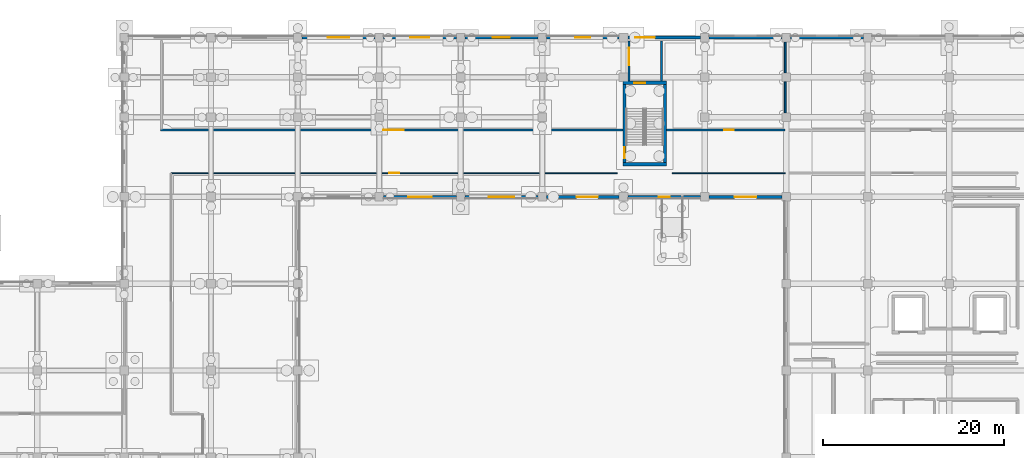
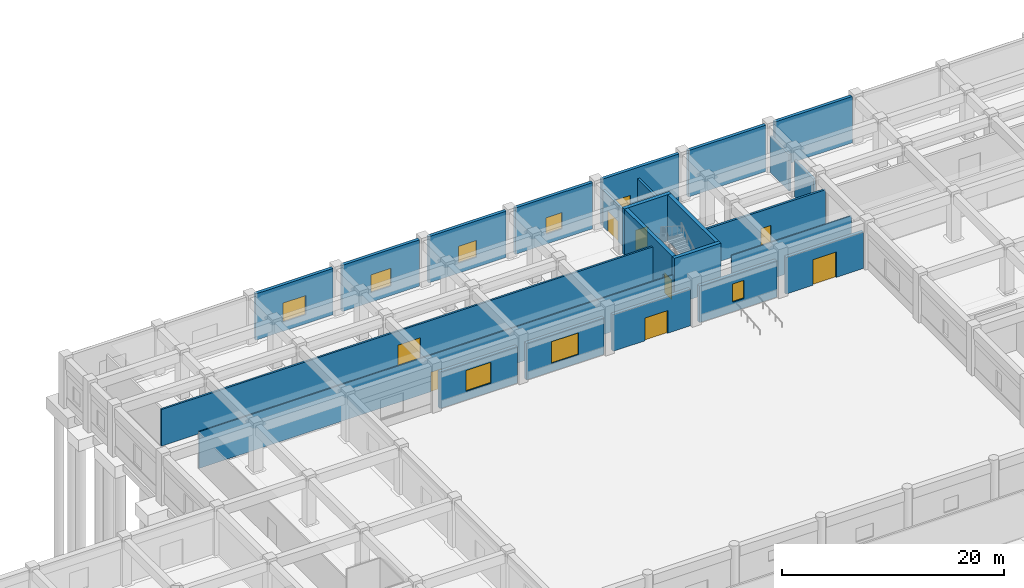
# One storey, part 37 of 74: 24 walls, 9 doors, 7 windows, 16 openings.
"""IFC4 building model written with IfcOpenShell, lengths in metres."""

from ifc_helpers import new_model, si_unit, direction, frame, frame_2d, origin, place, context, subcontext, project, spatial, rectangle, extrude, material, layer, layer_set, type_object, element, fill, save


model = new_model("IFC4")

# Units and contexts
model_context = context("Model", 3, precision=1e-05, world=origin(), true_north=direction((0.0, 1.0)))
body_context = subcontext(model_context, "Body", "Model", "MODEL_VIEW")
ifc_project = project(units=[si_unit("LENGTHUNIT", "METRE"), si_unit("AREAUNIT", "SQUARE_METRE"), si_unit("VOLUMEUNIT", "CUBIC_METRE"), si_unit("PLANEANGLEUNIT", "RADIAN"), si_unit("MASSUNIT", "GRAM", prefix="KILO")], contexts=[model_context])

# Site, building, storey
site_placement = place(None, origin())
site = spatial("IfcSite", under=ifc_project, at=site_placement, CompositionType="ELEMENT")
building_placement = place(site_placement, origin())
building = spatial("IfcBuilding", under=site, at=building_placement, Name="Cendralis Terraced Arcade", CompositionType="ELEMENT")
storey_placement = place(building_placement, origin())
storey = spatial("IfcBuildingStorey", under=building, at=storey_placement, Name="L00", CompositionType="ELEMENT", Elevation=0.0)

# Wall, opening, door
ifc_material_1 = material(Name="Gypsum plasterboard acoustic partition", Category="concrete")
ifc_layer_1 = layer(ifc_material_1, 0.195068359375, Name="WL-ACOU-195")
ifc_layer_set_1 = layer_set([ifc_layer_1], Name="Gypsum plasterboard acoustic partition")
wall_type_1 = type_object("IfcWallType", Name="WL-ACOU-195", PredefinedType="PARTITIONING", material=ifc_layer_set_1)
wall_1_placement = place(storey_placement, frame((103.1201171875, 105.780029296875, 0.0), z_axis=(0.0, 0.0, 1.0), x_axis=(-1.0, 0.0, 0.0)))
wall_1 = element("IfcWall", 1, at=wall_1_placement, inside=storey, type_object=wall_type_1, Name="Interior Partition Wall IW-L00-0272", PredefinedType="PARTITIONING", context=body_context, shape_type="SweptSolid", body=[
    extrude(rectangle(XDim=51.09521484375, YDim=0.195068359375, at=frame_2d((25.547607421875, 0.0))), origin(), (0.0, 0.0, 1.0), 4.030029296875),
])
opening_1_placement = place(wall_1_placement, frame((24.1865234375, 0.0, 0.0)))
opening_1 = element("IfcOpeningElement", 2, at=opening_1_placement, cuts=wall_1, Name="Opening D-L00-079", PredefinedType="OPENING", context=body_context, shape_type="SweptSolid", body=[
    extrude(rectangle(XDim=2.300048828125, YDim=2.5, at=frame_2d((1.14990234375, 1.25))), frame((0.0, 0.109375, 0.0), z_axis=(0.0, -1.0, 0.0), x_axis=(1.0, 0.0, 0.0)), (0.0, 0.0, 1.0), 0.218994140625),
])
ifc_material_2 = material(Name="Solid core Andean oak veneer door leaf", Category="aluminium")
door_type_1 = type_object("IfcDoorType", Name="ID-DEP-2300x2500", OperationType="DOUBLE_DOOR_SINGLE_SWING", PredefinedType="DOOR", material=ifc_material_2)
door_1_placement = place(opening_1_placement, origin())
door_1 = element("IfcDoor", 3, at=door_1_placement, inside=storey, type_object=door_type_1, Name="Bookshop and Stationery Salon - Court Gallery Door D-L00-079", OperationType="DOUBLE_DOOR_SINGLE_SWING", OverallHeight=2.5, OverallWidth=2.300048828125, PredefinedType="DOOR", context=body_context, shape_type="SweptSolid", body=[
    extrude(rectangle(XDim=2.300048828125, YDim=2.5, at=frame_2d((1.14990234375, 1.25))), frame((0.0, 0.02490234375, 0.0), z_axis=(0.0, -1.0, 0.0), x_axis=(1.0, 0.0, 0.0)), (0.0, 0.0, 1.0), 0.050048828125),
])
fill(opening_1, door_1)

# Walls
ifc_layer_2 = layer(ifc_material_1, 0.205078125, Name="WL-ACOU-205")
ifc_layer_set_2 = layer_set([ifc_layer_2], Name="Gypsum plasterboard acoustic partition")
wall_type_2 = type_object("IfcWallType", Name="WL-ACOU-205", PredefinedType="PARTITIONING", material=ifc_layer_set_2)
wall_2_placement = place(storey_placement, frame((121.080078125, 115.5048828125, 0.0), z_axis=(0.0, 0.0, 1.0), x_axis=(0.0, -1.0, 0.0)))
element("IfcWall", 4, at=wall_2_placement, inside=storey, type_object=wall_type_2, Name="Interior Partition Wall IW-L00-0271", PredefinedType="PARTITIONING", context=body_context, shape_type="SweptSolid", body=[
    extrude(rectangle(XDim=3.409912109375, YDim=0.205078125, at=frame_2d((1.705078125, 0.0))), origin(), (0.0, 0.0, 1.0), 4.030029296875),
])
ifc_layer_3 = layer(ifc_material_1, 0.2099609375, Name="WL-ACOU-210")
ifc_layer_set_3 = layer_set([ifc_layer_3], Name="Gypsum plasterboard acoustic partition")
wall_type_3 = type_object("IfcWallType", Name="WL-ACOU-210", PredefinedType="PARTITIONING", material=ifc_layer_set_3)
wall_3_placement = place(storey_placement, frame((121.080078125, 111.10498046875, 0.0), z_axis=(0.0, 0.0, 1.0), x_axis=(0.0, -1.0, 0.0)))
element("IfcWall", 5, at=wall_3_placement, inside=storey, type_object=wall_type_3, Name="Interior Partition Wall IW-L00-0270", PredefinedType="PARTITIONING", context=body_context, shape_type="SweptSolid", body=[
    extrude(rectangle(XDim=3.409912109375, YDim=0.2099609375, at=frame_2d((1.705078125, 0.0))), origin(), (0.0, 0.0, 1.0), 4.030029296875),
])

# Wall, opening, door
ifc_material_3 = material(Name="Autoclaved aerated concrete blockwork", Category="masonry")
ifc_layer_4 = layer(ifc_material_3, 0.221923828125, Name="WL-ACOU-222")
ifc_layer_set_4 = layer_set([ifc_layer_4], Name="Autoclaved aerated concrete blockwork")
wall_type_4 = type_object("IfcWallType", Name="WL-ACOU-222", PredefinedType="PARTITIONING", material=ifc_layer_set_4)
wall_4_placement = place(storey_placement, frame((121.080078125, 105.780029296875, 0.0), z_axis=(0.0, 0.0, 1.0), x_axis=(-1.0, 0.0, 0.0)))
wall_4 = element("IfcWall", 6, at=wall_4_placement, inside=storey, type_object=wall_type_4, Name="Interior Partition Wall IW-L00-0269", PredefinedType="PARTITIONING", context=body_context, shape_type="SweptSolid", body=[
    extrude(rectangle(XDim=13.10009765625, YDim=0.221923828125, at=frame_2d((6.550048828125, 0.0))), origin(), (0.0, 0.0, 1.0), 4.030029296875),
])
opening_2_placement = place(wall_4_placement, frame((5.695068359375, 0.0, 0.0)))
opening_2 = element("IfcOpeningElement", 7, at=opening_2_placement, cuts=wall_4, Name="Opening D-L00-078", PredefinedType="OPENING", context=body_context, shape_type="SweptSolid", body=[
    extrude(rectangle(XDim=1.050048828125, YDim=2.10009765625, at=frame_2d((0.52490234375, 1.050048828125))), frame((0.0, 0.123046875, 0.0), z_axis=(0.0, -1.0, 0.0), x_axis=(1.0, 0.0, 0.0)), (0.0, 0.0, 1.0), 0.245849609375),
])
door_type_2 = type_object("IfcDoorType", Name="ID-RM-1050x2100", OperationType="NOTDEFINED", PredefinedType="DOOR", material=ifc_material_2)
door_2_placement = place(opening_2_placement, origin())
door_2 = element("IfcDoor", 8, at=door_2_placement, inside=storey, type_object=door_type_2, Name="Bookshop and Stationery Salon - Court Gallery Door D-L00-078", OperationType="SINGLE_SWING_RIGHT", OverallHeight=2.10009765625, OverallWidth=1.050048828125, PredefinedType="DOOR", context=body_context, shape_type="SweptSolid", body=[
    extrude(rectangle(XDim=1.050048828125, YDim=2.10009765625, at=frame_2d((0.52490234375, 1.050048828125))), frame((0.0, 0.02490234375, 0.0), z_axis=(0.0, -1.0, 0.0), x_axis=(1.0, 0.0, 0.0)), (0.0, 0.0, 1.0), 0.050048828125),
])
fill(opening_2, door_2)

# Wall
ifc_material_4 = material(Name="Concrete f'c 42 MPa", Category="concrete")
ifc_layer_5 = layer(ifc_material_4, 0.3798828125, Name="WL-CORE-380")
ifc_layer_set_5 = layer_set([ifc_layer_5], Name="Concrete f'c 42 MPa")
wall_type_5 = type_object("IfcWallType", Name="WL-CORE-380", PredefinedType="SHEAR", material=ifc_layer_set_5)
wall_5_placement = place(storey_placement, frame((103.1201171875, 102.010009765625, 0.0), z_axis=(0.0, 0.0, 1.0), x_axis=(1.0, 0.0, 0.0)))
element("IfcWall", 9, at=wall_5_placement, inside=storey, type_object=wall_type_5, Name="Stair Core Reinforced Concrete Shear Wall SW-ST-10-L00-S", PredefinedType="SHEAR", context=body_context, shape_type="SweptSolid", body=[
    extrude(rectangle(XDim=4.85986328125, YDim=0.3798828125, at=frame_2d((2.429931640625, 0.0))), origin(), (0.0, 0.0, 1.0), 5.090087890625),
])

# Wall, opening, door
wall_6_placement = place(storey_placement, frame((103.1201171875, 110.989990234375, 0.0), z_axis=(0.0, 0.0, 1.0), x_axis=(1.0, 0.0, 0.0)))
wall_6 = element("IfcWall", 10, at=wall_6_placement, inside=storey, type_object=wall_type_5, Name="Stair Core Reinforced Concrete Shear Wall SW-ST-10-L00-N", PredefinedType="SHEAR", context=body_context, shape_type="SweptSolid", body=[
    extrude(rectangle(XDim=4.85986328125, YDim=0.3798828125, at=frame_2d((2.429931640625, 0.0))), origin(), (0.0, 0.0, 1.0), 5.090087890625),
])
opening_3_placement = place(wall_6_placement, frame((1.25, 0.0, 0.0)))
opening_3 = element("IfcOpeningElement", 11, at=opening_3_placement, cuts=wall_6, Name="Opening D-ST-10-EXP", PredefinedType="OPENING", context=body_context, shape_type="SweptSolid", body=[
    extrude(rectangle(XDim=1.25, YDim=2.199951171875, at=frame_2d((0.625, 1.10009765625))), frame((0.0, 0.201904296875, 0.0), z_axis=(0.0, -1.0, 0.0), x_axis=(1.0, 0.0, 0.0)), (0.0, 0.0, 1.0), 0.40380859375),
])
ifc_material_5 = material(Name="Galvanised fire-rated steel door assembly", Category="steel")
door_type_3 = type_object("IfcDoorType", Name="ID-ST-1250x2200", OperationType="NOTDEFINED", PredefinedType="DOOR", material=ifc_material_5)
door_3_placement = place(opening_3_placement, origin())
door_3 = element("IfcDoor", 12, at=door_3_placement, inside=storey, type_object=door_type_3, Name="Stair ST-10 Exit Passage Discharge Door", OperationType="SINGLE_SWING_LEFT", OverallHeight=2.199951171875, OverallWidth=1.25, PredefinedType="DOOR", context=body_context, shape_type="SweptSolid", body=[
    extrude(rectangle(XDim=1.25, YDim=2.199951171875, at=frame_2d((0.625, 1.10009765625))), frame((0.0, 0.02490234375, 0.0), z_axis=(0.0, -1.0, 0.0), x_axis=(1.0, 0.0, 0.0)), (0.0, 0.0, 1.0), 0.050048828125),
])
fill(opening_3, door_3)

# Wall
wall_7_placement = place(storey_placement, frame((107.7900390625, 102.199951171875, 0.0), z_axis=(0.0, 0.0, 1.0), x_axis=(0.0, 1.0, 0.0)))
element("IfcWall", 13, at=wall_7_placement, inside=storey, type_object=wall_type_5, Name="Stair Core Reinforced Concrete Shear Wall SW-ST-10-L00-E", PredefinedType="SHEAR", context=body_context, shape_type="SweptSolid", body=[
    extrude(rectangle(XDim=8.60009765625, YDim=0.3798828125, at=frame_2d((4.300048828125, 0.0))), origin(), (0.0, 0.0, 1.0), 5.090087890625),
])

# Wall, opening, door
wall_8_placement = place(storey_placement, frame((103.31005859375, 102.199951171875, 0.0), z_axis=(0.0, 0.0, 1.0), x_axis=(0.0, 1.0, 0.0)))
wall_8 = element("IfcWall", 14, at=wall_8_placement, inside=storey, type_object=wall_type_5, Name="Stair Core Reinforced Concrete Shear Wall SW-ST-10-L00-W", PredefinedType="SHEAR", context=body_context, shape_type="SweptSolid", body=[
    extrude(rectangle(XDim=8.60009765625, YDim=0.3798828125, at=frame_2d((4.300048828125, 0.0))), origin(), (0.0, 0.0, 1.0), 5.090087890625),
])
opening_4_placement = place(wall_8_placement, frame((0.449951171875, 0.0, 0.0)))
opening_4 = element("IfcOpeningElement", 15, at=opening_4_placement, cuts=wall_8, Name="Opening D-ST-10-L00", PredefinedType="OPENING", context=body_context, shape_type="SweptSolid", body=[
    extrude(rectangle(XDim=1.25, YDim=2.199951171875, at=frame_2d((0.625, 1.10009765625))), frame((0.0, 0.201904296875, 0.0), z_axis=(0.0, -1.0, 0.0), x_axis=(1.0, 0.0, 0.0)), (0.0, 0.0, 1.0), 0.40380859375),
])
door_4_placement = place(opening_4_placement, frame((1.25, 0.0, 0.0), z_axis=(0.0, 0.0, 1.0), x_axis=(-1.0, 0.0, 0.0)))
door_4 = element("IfcDoor", 16, at=door_4_placement, inside=storey, type_object=door_type_3, Name="Protected Stair ST-10 Fire Door (L00)", OperationType="SINGLE_SWING_RIGHT", OverallHeight=2.199951171875, OverallWidth=1.25, PredefinedType="DOOR", context=body_context, shape_type="SweptSolid", body=[
    extrude(rectangle(XDim=1.25, YDim=2.199951171875, at=frame_2d((0.625, 1.10009765625))), frame((0.0, 0.02490234375, 0.0), z_axis=(0.0, -1.0, 0.0), x_axis=(1.0, 0.0, 0.0)), (0.0, 0.0, 1.0), 0.050048828125),
])
fill(opening_4, door_4)

# Wall, opening, window
ifc_material_6 = material(Name="Precast concrete f'c 40 MPa", Category="concrete")
ifc_layer_6 = layer(ifc_material_6, 0.320068359375, Name="WL-EXT-GRC-320")
ifc_layer_set_6 = layer_set([ifc_layer_6], Name="Precast concrete f'c 40 MPa")
wall_type_6 = type_object("IfcWallType", Name="WL-EXT-GRC-320", PredefinedType="SOLIDWALL", material=ifc_layer_set_6)
wall_9_placement = place(storey_placement, frame((67.673095703125, 116.0, 0.0), z_axis=(0.0, 0.0, 1.0), x_axis=(1.0, 0.0, 0.0)))
wall_9 = element("IfcWall", 17, at=wall_9_placement, inside=storey, type_object=wall_type_6, Name="Exterior Architectural Wall EW-L00-0037", PredefinedType="SOLIDWALL", context=body_context, shape_type="SweptSolid", body=[
    extrude(rectangle(XDim=8.053955078125, YDim=0.320068359375, at=frame_2d((4.02685546875, 0.0))), origin(), (0.0, 0.0, 1.0), 5.090087890625),
])
opening_5_placement = place(wall_9_placement, frame((2.826904296875, 0.0, 1.0)))
opening_5 = element("IfcOpeningElement", 18, at=opening_5_placement, cuts=wall_9, Name="Opening W-11", PredefinedType="OPENING", context=body_context, shape_type="SweptSolid", body=[
    extrude(rectangle(XDim=2.39990234375, YDim=2.10009765625, at=frame_2d((1.199951171875, 1.050048828125))), frame((0.0, 0.171875, 0.0), z_axis=(0.0, -1.0, 0.0), x_axis=(1.0, 0.0, 0.0)), (0.0, 0.0, 1.0), 0.343994140625),
])
ifc_material_7 = material(Name="Tempered solar control laminated glass", Category="glass")
window_type_1 = type_object("IfcWindowType", Name="WN-F2-2400x2100", PartitioningType="SINGLE_PANEL", PredefinedType="WINDOW", material=ifc_material_7)
window_1_placement = place(opening_5_placement, origin())
window_1 = element("IfcWindow", 19, at=window_1_placement, inside=storey, type_object=window_type_1, Name="Exterior Solar-Control Window WN-L00-0020", OverallHeight=2.10009765625, OverallWidth=2.39990234375, PartitioningType="SINGLE_PANEL", PredefinedType="WINDOW", context=body_context, shape_type="SweptSolid", body=[
    extrude(rectangle(XDim=2.39990234375, YDim=2.10009765625, at=frame_2d((1.199951171875, 1.050048828125))), frame((0.0, 0.030029296875, 0.0), z_axis=(0.0, -1.0, 0.0), x_axis=(1.0, 0.0, 0.0)), (0.0, 0.0, 1.0), 0.06005859375),
])
fill(opening_5, window_1)

wall_10_placement = place(storey_placement, frame((76.673095703125, 116.0, 0.0), z_axis=(0.0, 0.0, 1.0), x_axis=(1.0, 0.0, 0.0)))
wall_10 = element("IfcWall", 20, at=wall_10_placement, inside=storey, type_object=wall_type_6, Name="Exterior Architectural Wall EW-L00-0038", PredefinedType="SOLIDWALL", context=body_context, shape_type="SweptSolid", body=[
    extrude(rectangle(XDim=8.053955078125, YDim=0.320068359375, at=frame_2d((4.02685546875, 0.0))), origin(), (0.0, 0.0, 1.0), 5.090087890625),
])
opening_6_placement = place(wall_10_placement, frame((2.97705078125, 0.0, 1.050048828125)))
opening_6 = element("IfcOpeningElement", 21, at=opening_6_placement, cuts=wall_10, Name="Opening W-12", PredefinedType="OPENING", context=body_context, shape_type="SweptSolid", body=[
    extrude(rectangle(XDim=2.10009765625, YDim=1.949951171875, at=frame_2d((1.050048828125, 0.97509765625))), frame((0.0, 0.171875, 0.0), z_axis=(0.0, -1.0, 0.0), x_axis=(1.0, 0.0, 0.0)), (0.0, 0.0, 1.0), 0.343994140625),
])
window_type_2 = type_object("IfcWindowType", Name="WN-F2-2100x1950", PartitioningType="SINGLE_PANEL", PredefinedType="WINDOW", material=ifc_material_7)
window_2_placement = place(opening_6_placement, origin())
window_2 = element("IfcWindow", 22, at=window_2_placement, inside=storey, type_object=window_type_2, Name="Exterior Solar-Control Window WN-L00-0021", OverallHeight=1.949951171875, OverallWidth=2.10009765625, PartitioningType="SINGLE_PANEL", PredefinedType="WINDOW", context=body_context, shape_type="SweptSolid", body=[
    extrude(rectangle(XDim=2.10009765625, YDim=1.949951171875, at=frame_2d((1.050048828125, 0.97509765625))), frame((0.0, 0.030029296875, 0.0), z_axis=(0.0, -1.0, 0.0), x_axis=(1.0, 0.0, 0.0)), (0.0, 0.0, 1.0), 0.06005859375),
])
fill(opening_6, window_2)

wall_11_placement = place(storey_placement, frame((85.673095703125, 116.0, 0.0), z_axis=(0.0, 0.0, 1.0), x_axis=(1.0, 0.0, 0.0)))
wall_11 = element("IfcWall", 23, at=wall_11_placement, inside=storey, type_object=wall_type_6, Name="Exterior Architectural Wall EW-L00-0039", PredefinedType="SOLIDWALL", context=body_context, shape_type="SweptSolid", body=[
    extrude(rectangle(XDim=8.053955078125, YDim=0.320068359375, at=frame_2d((4.02685546875, 0.0))), origin(), (0.0, 0.0, 1.0), 5.090087890625),
])
opening_7_placement = place(wall_11_placement, frame((3.076904296875, 0.0, 1.10009765625)))
opening_7 = element("IfcOpeningElement", 24, at=opening_7_placement, cuts=wall_11, Name="Opening W-13", PredefinedType="OPENING", context=body_context, shape_type="SweptSolid", body=[
    extrude(rectangle(XDim=1.89990234375, YDim=1.85009765625, at=frame_2d((0.949951171875, 0.925048828125))), frame((0.0, 0.171875, 0.0), z_axis=(0.0, -1.0, 0.0), x_axis=(1.0, 0.0, 0.0)), (0.0, 0.0, 1.0), 0.343994140625),
])
window_type_3 = type_object("IfcWindowType", Name="WN-F2-1900x1850", PartitioningType="SINGLE_PANEL", PredefinedType="WINDOW", material=ifc_material_7)
window_3_placement = place(opening_7_placement, origin())
window_3 = element("IfcWindow", 25, at=window_3_placement, inside=storey, type_object=window_type_3, Name="Exterior Solar-Control Window WN-L00-0022", OverallHeight=1.85009765625, OverallWidth=1.89990234375, PartitioningType="SINGLE_PANEL", PredefinedType="WINDOW", context=body_context, shape_type="SweptSolid", body=[
    extrude(rectangle(XDim=1.89990234375, YDim=1.85009765625, at=frame_2d((0.949951171875, 0.925048828125))), frame((0.0, 0.030029296875, 0.0), z_axis=(0.0, -1.0, 0.0), x_axis=(1.0, 0.0, 0.0)), (0.0, 0.0, 1.0), 0.06005859375),
])
fill(opening_7, window_3)

wall_12_placement = place(storey_placement, frame((94.673095703125, 116.0, 0.0), z_axis=(0.0, 0.0, 1.0), x_axis=(1.0, 0.0, 0.0)))
wall_12 = element("IfcWall", 26, at=wall_12_placement, inside=storey, type_object=wall_type_6, Name="Exterior Architectural Wall EW-L00-0040", PredefinedType="SOLIDWALL", context=body_context, shape_type="SweptSolid", body=[
    extrude(rectangle(XDim=8.053955078125, YDim=0.320068359375, at=frame_2d((4.02685546875, 0.0))), origin(), (0.0, 0.0, 1.0), 5.090087890625),
])
opening_8_placement = place(wall_12_placement, frame((3.177001953125, 0.0, 1.10009765625)))
opening_8 = element("IfcOpeningElement", 27, at=opening_8_placement, cuts=wall_12, Name="Opening W-14", PredefinedType="OPENING", context=body_context, shape_type="SweptSolid", body=[
    extrude(rectangle(XDim=1.699951171875, YDim=1.800048828125, at=frame_2d((0.85009765625, 0.89990234375))), frame((0.0, 0.171875, 0.0), z_axis=(0.0, -1.0, 0.0), x_axis=(1.0, 0.0, 0.0)), (0.0, 0.0, 1.0), 0.343994140625),
])
window_type_4 = type_object("IfcWindowType", Name="WN-F2-1700x1800", PartitioningType="SINGLE_PANEL", PredefinedType="WINDOW", material=ifc_material_7)
window_4_placement = place(opening_8_placement, origin())
window_4 = element("IfcWindow", 28, at=window_4_placement, inside=storey, type_object=window_type_4, Name="Exterior Solar-Control Window WN-L00-0023", OverallHeight=1.800048828125, OverallWidth=1.699951171875, PartitioningType="SINGLE_PANEL", PredefinedType="WINDOW", context=body_context, shape_type="SweptSolid", body=[
    extrude(rectangle(XDim=1.699951171875, YDim=1.800048828125, at=frame_2d((0.85009765625, 0.89990234375))), frame((0.0, 0.030029296875, 0.0), z_axis=(0.0, -1.0, 0.0), x_axis=(1.0, 0.0, 0.0)), (0.0, 0.0, 1.0), 0.06005859375),
])
fill(opening_8, window_4)

# Wall, opening, door
wall_13_placement = place(storey_placement, frame((103.675048828125, 116.0, 0.0), z_axis=(0.0, 0.0, 1.0), x_axis=(1.0, 0.0, 0.0)))
wall_13 = element("IfcWall", 29, at=wall_13_placement, inside=storey, type_object=wall_type_6, Name="Exterior Architectural Wall EW-L00-0041", PredefinedType="SOLIDWALL", context=body_context, shape_type="SweptSolid", body=[
    extrude(rectangle(XDim=8.050048828125, YDim=0.320068359375, at=frame_2d((4.02490234375, 0.0))), origin(), (0.0, 0.0, 1.0), 5.090087890625),
])
opening_9_placement = place(wall_13_placement, frame((0.85009765625, 0.0, 0.0)))
opening_9 = element("IfcOpeningElement", 30, at=opening_9_placement, cuts=wall_13, Name="Opening EX-20", PredefinedType="OPENING", context=body_context, shape_type="SweptSolid", body=[
    extrude(rectangle(XDim=2.14990234375, YDim=2.300048828125, at=frame_2d((1.074951171875, 1.14990234375))), frame((0.0, 0.171875, 0.0), z_axis=(0.0, -1.0, 0.0), x_axis=(1.0, 0.0, 0.0)), (0.0, 0.0, 1.0), 0.343994140625),
])
ifc_material_8 = material(Name="Powder-coated thermally broken aluminium and glass", Category="aluminium")
door_type_4 = type_object("IfcDoorType", Name="ED-PASS-2150x2300", OperationType="DOUBLE_DOOR_SINGLE_SWING", PredefinedType="DOOR", material=ifc_material_8)
door_5_placement = place(opening_9_placement, origin())
door_5 = element("IfcDoor", 31, at=door_5_placement, inside=storey, type_object=door_type_4, Name="Exit Passage ST-10 Final Exit Door EX-20", OperationType="DOUBLE_DOOR_SINGLE_SWING", OverallHeight=2.300048828125, OverallWidth=2.14990234375, PredefinedType="DOOR", context=body_context, shape_type="SweptSolid", body=[
    extrude(rectangle(XDim=2.14990234375, YDim=2.300048828125, at=frame_2d((1.074951171875, 1.14990234375))), frame((0.0, 0.02490234375, 0.0), z_axis=(0.0, -1.0, 0.0), x_axis=(1.0, 0.0, 0.0)), (0.0, 0.0, 1.0), 0.050048828125),
])
fill(opening_9, door_5)

# Walls
for number, where, z_axis, x_axis, name in (
    (32, (112.673095703125, 116.0, 0.0), (0.0, 0.0, 1.0), (1.0, 0.0, 0.0), "Exterior Architectural Wall EW-L00-0042"),
    (33, (121.673095703125, 116.0, 0.0), (0.0, 0.0, 1.0), (1.0, 0.0, 0.0), "Exterior Architectural Wall EW-L00-0043"),
):
    element("IfcWall", number, at=place(storey_placement, frame(where, z_axis=z_axis, x_axis=x_axis)), inside=storey, type_object=wall_type_6, Name=name, PredefinedType="SOLIDWALL", context=body_context, shape_type="SweptSolid", body=[
        extrude(rectangle(XDim=8.053955078125, YDim=0.320068359375, at=frame_2d((4.02685546875, 0.0))), origin(), (0.0, 0.0, 1.0), 5.090087890625),
    ])

# Wall, opening, door
wall_14_placement = place(storey_placement, frame((120.72509765625, 98.39990234375, 0.0), z_axis=(0.0, 0.0, 1.0), x_axis=(-1.0, 0.0, 0.0)))
wall_14 = element("IfcWall", 34, at=wall_14_placement, inside=storey, type_object=wall_type_6, Name="Exterior Architectural Wall EW-L00-0062", PredefinedType="SOLIDWALL", context=body_context, shape_type="SweptSolid", body=[
    extrude(rectangle(XDim=8.050048828125, YDim=0.320068359375, at=frame_2d((4.02490234375, 0.0))), origin(), (0.0, 0.0, 1.0), 4.030029296875),
])
opening_10_placement = place(wall_14_placement, frame((2.824951171875, 0.0, 0.0)))
opening_10 = element("IfcOpeningElement", 35, at=opening_10_placement, cuts=wall_14, Name="Opening EX-17", PredefinedType="OPENING", context=body_context, shape_type="SweptSolid", body=[
    extrude(rectangle(XDim=2.39990234375, YDim=2.800048828125, at=frame_2d((1.199951171875, 1.39990234375))), frame((0.0, 0.171875, 0.0), z_axis=(0.0, -1.0, 0.0), x_axis=(1.0, 0.0, 0.0)), (0.0, 0.0, 1.0), 0.343994140625),
])
door_type_5 = type_object("IfcDoorType", Name="ED-PORTAL-2400x2800", OperationType="DOUBLE_DOOR_SINGLE_SWING", PredefinedType="DOOR", material=ifc_material_8)
door_6_placement = place(opening_10_placement, origin())
door_6 = element("IfcDoor", 36, at=door_6_placement, inside=storey, type_object=door_type_5, Name="Central Garden Court Northeast Entrance EX-17", OperationType="DOUBLE_DOOR_SINGLE_SWING", OverallHeight=2.800048828125, OverallWidth=2.39990234375, PredefinedType="DOOR", context=body_context, shape_type="SweptSolid", body=[
    extrude(rectangle(XDim=2.39990234375, YDim=2.800048828125, at=frame_2d((1.199951171875, 1.39990234375))), frame((0.0, 0.02490234375, 0.0), z_axis=(0.0, -1.0, 0.0), x_axis=(1.0, 0.0, 0.0)), (0.0, 0.0, 1.0), 0.050048828125),
])
fill(opening_10, door_6)

# Wall, opening, window
wall_15_placement = place(storey_placement, frame((111.72705078125, 98.39990234375, 0.0), z_axis=(0.0, 0.0, 1.0), x_axis=(-1.0, 0.0, 0.0)))
wall_15 = element("IfcWall", 37, at=wall_15_placement, inside=storey, type_object=wall_type_6, Name="Exterior Architectural Wall EW-L00-0063", PredefinedType="SOLIDWALL", context=body_context, shape_type="SweptSolid", body=[
    extrude(rectangle(XDim=8.053955078125, YDim=0.320068359375, at=frame_2d((4.02685546875, 0.0))), origin(), (0.0, 0.0, 1.0), 4.030029296875),
])
opening_11_placement = place(wall_15_placement, frame((3.427001953125, 0.0, 1.050048828125)))
opening_11 = element("IfcOpeningElement", 38, at=opening_11_placement, cuts=wall_15, Name="Opening W-07", PredefinedType="OPENING", context=body_context, shape_type="SweptSolid", body=[
    extrude(rectangle(XDim=1.199951171875, YDim=2.0, at=frame_2d((0.60009765625, 1.0))), frame((0.0, 0.171875, 0.0), z_axis=(0.0, -1.0, 0.0), x_axis=(1.0, 0.0, 0.0)), (0.0, 0.0, 1.0), 0.343994140625),
])
window_type_5 = type_object("IfcWindowType", Name="WN-F1-1200x2000", PartitioningType="SINGLE_PANEL", PredefinedType="WINDOW", material=ifc_material_7)
window_5_placement = place(opening_11_placement, origin())
window_5 = element("IfcWindow", 39, at=window_5_placement, inside=storey, type_object=window_type_5, Name="Exterior Solar-Control Window WN-L00-0024", OverallHeight=2.0, OverallWidth=1.199951171875, PartitioningType="SINGLE_PANEL", PredefinedType="WINDOW", context=body_context, shape_type="SweptSolid", body=[
    extrude(rectangle(XDim=1.199951171875, YDim=2.0, at=frame_2d((0.60009765625, 1.0))), frame((0.0, 0.030029296875, 0.0), z_axis=(0.0, -1.0, 0.0), x_axis=(1.0, 0.0, 0.0)), (0.0, 0.0, 1.0), 0.06005859375),
])
fill(opening_11, window_5)

# Wall, opening, door
wall_16_placement = place(storey_placement, frame((102.72509765625, 98.39990234375, 0.0), z_axis=(0.0, 0.0, 1.0), x_axis=(-1.0, 0.0, 0.0)))
wall_16 = element("IfcWall", 40, at=wall_16_placement, inside=storey, type_object=wall_type_6, Name="Exterior Architectural Wall EW-L00-0064", PredefinedType="SOLIDWALL", context=body_context, shape_type="SweptSolid", body=[
    extrude(rectangle(XDim=8.050048828125, YDim=0.320068359375, at=frame_2d((4.02490234375, 0.0))), origin(), (0.0, 0.0, 1.0), 4.030029296875),
])
opening_12_placement = place(wall_16_placement, frame((2.35009765625, 0.0, 0.0)))
opening_12 = element("IfcOpeningElement", 41, at=opening_12_placement, cuts=wall_16, Name="Opening EX-13", PredefinedType="OPENING", context=body_context, shape_type="SweptSolid", body=[
    extrude(rectangle(XDim=2.35009765625, YDim=2.5, at=frame_2d((1.175048828125, 1.25))), frame((0.0, 0.171875, 0.0), z_axis=(0.0, -1.0, 0.0), x_axis=(1.0, 0.0, 0.0)), (0.0, 0.0, 1.0), 0.343994140625),
])
door_type_6 = type_object("IfcDoorType", Name="ED-COURT-2100x2500", OperationType="DOUBLE_DOOR_SINGLE_SWING", PredefinedType="DOOR", material=ifc_material_8)
door_7_placement = place(opening_12_placement, origin())
door_7 = element("IfcDoor", 42, at=door_7_placement, inside=storey, type_object=door_type_6, Name="Central Garden Court North Entrance EX-13", OperationType="DOUBLE_DOOR_SINGLE_SWING", OverallHeight=2.5, OverallWidth=2.35009765625, PredefinedType="DOOR", context=body_context, shape_type="SweptSolid", body=[
    extrude(rectangle(XDim=2.35009765625, YDim=2.5, at=frame_2d((1.175048828125, 1.25))), frame((0.0, 0.02490234375, 0.0), z_axis=(0.0, -1.0, 0.0), x_axis=(1.0, 0.0, 0.0)), (0.0, 0.0, 1.0), 0.050048828125),
])
fill(opening_12, door_7)

# Wall, opening, window
wall_17_placement = place(storey_placement, frame((93.72705078125, 98.39990234375, 0.0), z_axis=(0.0, 0.0, 1.0), x_axis=(-1.0, 0.0, 0.0)))
wall_17 = element("IfcWall", 43, at=wall_17_placement, inside=storey, type_object=wall_type_6, Name="Exterior Architectural Wall EW-L00-0065", PredefinedType="SOLIDWALL", context=body_context, shape_type="SweptSolid", body=[
    extrude(rectangle(XDim=8.053955078125, YDim=0.320068359375, at=frame_2d((4.02685546875, 0.0))), origin(), (0.0, 0.0, 1.0), 4.030029296875),
])
opening_13_placement = place(wall_17_placement, frame((2.626953125, 0.0, 0.89990234375)))
opening_13 = element("IfcOpeningElement", 44, at=opening_13_placement, cuts=wall_17, Name="Opening W-09", PredefinedType="OPENING", context=body_context, shape_type="SweptSolid", body=[
    extrude(rectangle(XDim=2.800048828125, YDim=2.39990234375, at=frame_2d((1.39990234375, 1.199951171875))), frame((0.0, 0.171875, 0.0), z_axis=(0.0, -1.0, 0.0), x_axis=(1.0, 0.0, 0.0)), (0.0, 0.0, 1.0), 0.343994140625),
])
window_type_6 = type_object("IfcWindowType", Name="WN-F2-2800x2400", PartitioningType="SINGLE_PANEL", PredefinedType="WINDOW", material=ifc_material_7)
window_6_placement = place(opening_13_placement, origin())
window_6 = element("IfcWindow", 45, at=window_6_placement, inside=storey, type_object=window_type_6, Name="Exterior Solar-Control Window WN-L00-0025", OverallHeight=2.39990234375, OverallWidth=2.800048828125, PartitioningType="SINGLE_PANEL", PredefinedType="WINDOW", context=body_context, shape_type="SweptSolid", body=[
    extrude(rectangle(XDim=2.800048828125, YDim=2.39990234375, at=frame_2d((1.39990234375, 1.199951171875))), frame((0.0, 0.030029296875, 0.0), z_axis=(0.0, -1.0, 0.0), x_axis=(1.0, 0.0, 0.0)), (0.0, 0.0, 1.0), 0.06005859375),
])
fill(opening_13, window_6)

wall_18_placement = place(storey_placement, frame((84.72705078125, 98.39990234375, 0.0), z_axis=(0.0, 0.0, 1.0), x_axis=(-1.0, 0.0, 0.0)))
wall_18 = element("IfcWall", 46, at=wall_18_placement, inside=storey, type_object=wall_type_6, Name="Exterior Architectural Wall EW-L00-0066", PredefinedType="SOLIDWALL", context=body_context, shape_type="SweptSolid", body=[
    extrude(rectangle(XDim=8.053955078125, YDim=0.320068359375, at=frame_2d((4.02685546875, 0.0))), origin(), (0.0, 0.0, 1.0), 4.030029296875),
])
opening_14_placement = place(wall_18_placement, frame((2.72705078125, 0.0, 0.949951171875)))
opening_14 = element("IfcOpeningElement", 47, at=opening_14_placement, cuts=wall_18, Name="Opening W-10", PredefinedType="OPENING", context=body_context, shape_type="SweptSolid", body=[
    extrude(rectangle(XDim=2.60009765625, YDim=2.300048828125, at=frame_2d((1.300048828125, 1.14990234375))), frame((0.0, 0.171875, 0.0), z_axis=(0.0, -1.0, 0.0), x_axis=(1.0, 0.0, 0.0)), (0.0, 0.0, 1.0), 0.343994140625),
])
window_type_7 = type_object("IfcWindowType", Name="WN-F2-2600x2300", PartitioningType="SINGLE_PANEL", PredefinedType="WINDOW", material=ifc_material_7)
window_7_placement = place(opening_14_placement, origin())
window_7 = element("IfcWindow", 48, at=window_7_placement, inside=storey, type_object=window_type_7, Name="Exterior Solar-Control Window WN-L00-0026", OverallHeight=2.300048828125, OverallWidth=2.60009765625, PartitioningType="SINGLE_PANEL", PredefinedType="WINDOW", context=body_context, shape_type="SweptSolid", body=[
    extrude(rectangle(XDim=2.60009765625, YDim=2.300048828125, at=frame_2d((1.300048828125, 1.14990234375))), frame((0.0, 0.030029296875, 0.0), z_axis=(0.0, -1.0, 0.0), x_axis=(1.0, 0.0, 0.0)), (0.0, 0.0, 1.0), 0.06005859375),
])
fill(opening_14, window_7)

# Wall, opening, door
ifc_layer_7 = layer(ifc_material_3, 0.235107421875, Name="WL-FIRE-235")
ifc_layer_set_7 = layer_set([ifc_layer_7], Name="Autoclaved aerated concrete blockwork")
wall_type_7 = type_object("IfcWallType", Name="WL-FIRE-235", PredefinedType="PARTITIONING", material=ifc_layer_set_7)
wall_19_placement = place(storey_placement, frame((103.800048828125, 111.199951171875, 0.0), z_axis=(0.0, 0.0, 1.0), x_axis=(0.0, 1.0, 0.0)))
wall_19 = element("IfcWall", 49, at=wall_19_placement, inside=storey, type_object=wall_type_7, Name="Protected Exit Passage 2-Hour Wall EP-ST10-W", PredefinedType="PARTITIONING", context=body_context, shape_type="SweptSolid", body=[
    extrude(rectangle(XDim=4.449951171875, YDim=0.235107421875, at=frame_2d((2.22509765625, 0.0))), origin(), (0.0, 0.0, 1.0), 4.030029296875),
])
opening_15_placement = place(wall_19_placement, frame((1.77490234375, 0.0, 0.0)))
opening_15 = element("IfcOpeningElement", 50, at=opening_15_placement, cuts=wall_19, Name="Opening D-EP-ST10-W", PredefinedType="OPENING", context=body_context, shape_type="SweptSolid", body=[
    extrude(rectangle(XDim=1.89990234375, YDim=2.25, at=frame_2d((0.949951171875, 1.125))), frame((0.0, 0.12939453125, 0.0), z_axis=(0.0, -1.0, 0.0), x_axis=(1.0, 0.0, 0.0)), (0.0, 0.0, 1.0), 0.259033203125),
])
door_type_7 = type_object("IfcDoorType", Name="ID-EXP-1900x2250", OperationType="DOUBLE_DOOR_SINGLE_SWING", PredefinedType="DOOR", material=ifc_material_5)
door_8_placement = place(opening_15_placement, origin())
door_8 = element("IfcDoor", 51, at=door_8_placement, inside=storey, type_object=door_type_7, Name="Protected Exit Passage Fire Door EP-ST10-W", OperationType="DOUBLE_DOOR_SINGLE_SWING", OverallHeight=2.25, OverallWidth=1.89990234375, PredefinedType="DOOR", context=body_context, shape_type="SweptSolid", body=[
    extrude(rectangle(XDim=1.89990234375, YDim=2.25, at=frame_2d((0.949951171875, 1.125))), frame((0.0, 0.02490234375, 0.0), z_axis=(0.0, -1.0, 0.0), x_axis=(1.0, 0.0, 0.0)), (0.0, 0.0, 1.0), 0.050048828125),
])
fill(opening_15, door_8)

# Walls
wall_20_placement = place(storey_placement, frame((107.39990234375, 111.199951171875, 0.0), z_axis=(0.0, 0.0, 1.0), x_axis=(0.0, 1.0, 0.0)))
element("IfcWall", 52, at=wall_20_placement, inside=storey, type_object=wall_type_7, Name="Protected Exit Passage 2-Hour Wall EP-ST10-E", PredefinedType="PARTITIONING", context=body_context, shape_type="SweptSolid", body=[
    extrude(rectangle(XDim=4.449951171875, YDim=0.235107421875, at=frame_2d((2.22509765625, 0.0))), origin(), (0.0, 0.0, 1.0), 4.030029296875),
])
ifc_layer_8 = layer(ifc_material_1, 0.117919921875, Name="WL-PART-118")
ifc_layer_set_8 = layer_set([ifc_layer_8], Name="Gypsum plasterboard acoustic partition")
wall_type_8 = type_object("IfcWallType", Name="WL-PART-118", PredefinedType="PARTITIONING", material=ifc_layer_set_8)
wall_21_placement = place(storey_placement, frame((108.5888671875, 101.02001953125, 0.0), z_axis=(0.0, 0.0, 1.0), x_axis=(1.0, 0.0, 0.0)))
element("IfcWall", 53, at=wall_21_placement, inside=storey, type_object=wall_type_8, Name="Interior Partition Wall IW-L00-0265", PredefinedType="PARTITIONING", context=body_context, shape_type="SweptSolid", body=[
    extrude(rectangle(XDim=12.4912109375, YDim=0.117919921875, at=frame_2d((6.24560546875, 0.0))), origin(), (0.0, 0.0, 1.0), 4.030029296875),
])

# Wall, opening, door
ifc_layer_9 = layer(ifc_material_1, 0.1259765625, Name="WL-PART-126")
ifc_layer_set_9 = layer_set([ifc_layer_9], Name="Gypsum plasterboard acoustic partition")
wall_type_9 = type_object("IfcWallType", Name="WL-PART-126", PredefinedType="PARTITIONING", material=ifc_layer_set_9)
wall_22_placement = place(storey_placement, frame((53.179931640625, 101.02001953125, 0.0), z_axis=(0.0, 0.0, 1.0), x_axis=(1.0, 0.0, 0.0)))
wall_22 = element("IfcWall", 54, at=wall_22_placement, inside=storey, type_object=wall_type_9, Name="Interior Partition Wall IW-L00-0263", PredefinedType="PARTITIONING", context=body_context, shape_type="SweptSolid", body=[
    extrude(rectangle(XDim=49.3310546875, YDim=0.1259765625, at=frame_2d((24.66552734375, 0.0))), origin(), (0.0, 0.0, 1.0), 4.030029296875),
])
opening_16_placement = place(wall_22_placement, frame((24.115478515625, 0.0, 0.0)))
opening_16 = element("IfcOpeningElement", 55, at=opening_16_placement, cuts=wall_22, Name="Opening D-L00-076", PredefinedType="OPENING", context=body_context, shape_type="SweptSolid", body=[
    extrude(rectangle(XDim=1.10009765625, YDim=2.14990234375, at=frame_2d((0.550048828125, 1.074951171875))), frame((0.0, 0.074951171875, 0.0), z_axis=(0.0, -1.0, 0.0), x_axis=(1.0, 0.0, 0.0)), (0.0, 0.0, 1.0), 0.14990234375),
])
door_type_8 = type_object("IfcDoorType", Name="ID-RM-1100x2150", OperationType="NOTDEFINED", PredefinedType="DOOR", material=ifc_material_2)
door_9_placement = place(opening_16_placement, origin())
door_9 = element("IfcDoor", 56, at=door_9_placement, inside=storey, type_object=door_type_8, Name="Bookshop and Stationery Salon - Court Gallery Door D-L00-076", OperationType="SINGLE_SWING_LEFT", OverallHeight=2.14990234375, OverallWidth=1.10009765625, PredefinedType="DOOR", context=body_context, shape_type="SweptSolid", body=[
    extrude(rectangle(XDim=1.10009765625, YDim=2.14990234375, at=frame_2d((0.550048828125, 1.074951171875))), frame((0.0, 0.02490234375, 0.0), z_axis=(0.0, -1.0, 0.0), x_axis=(1.0, 0.0, 0.0)), (0.0, 0.0, 1.0), 0.050048828125),
])
fill(opening_16, door_9)

save(model, "model.ifc")
